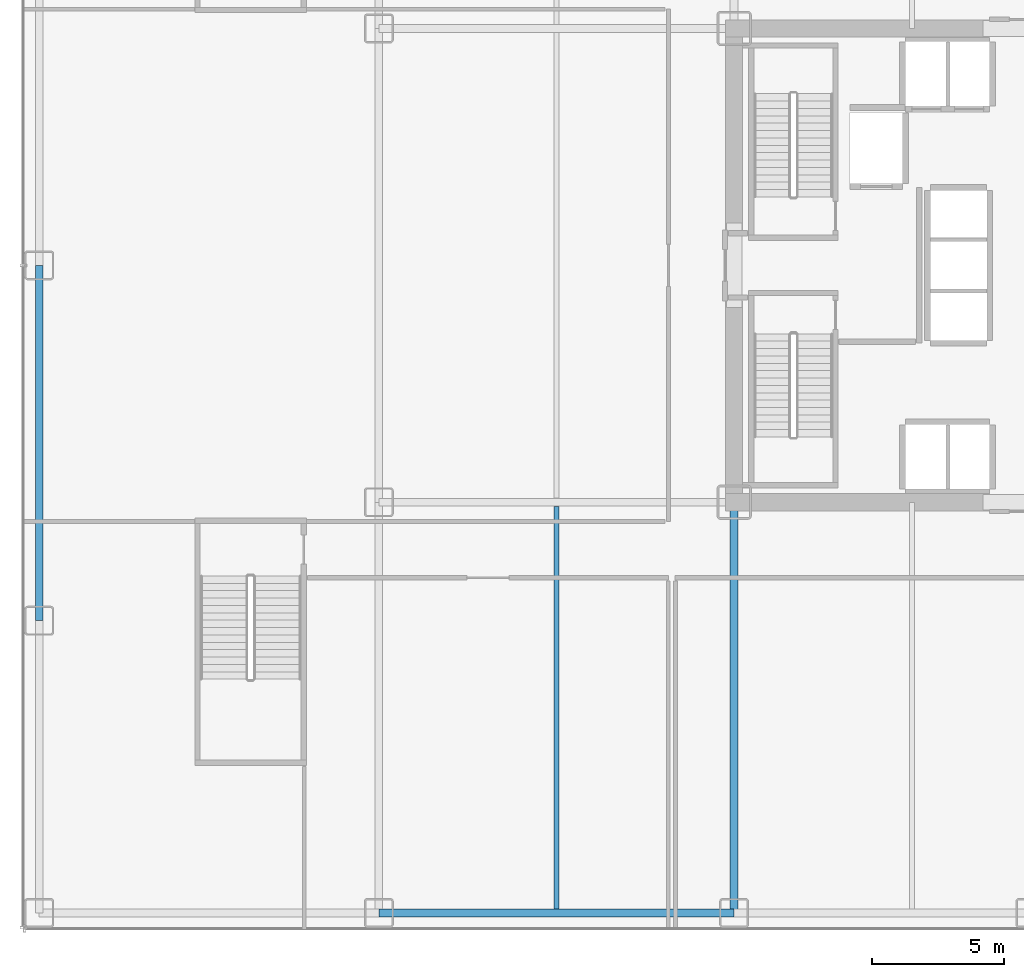
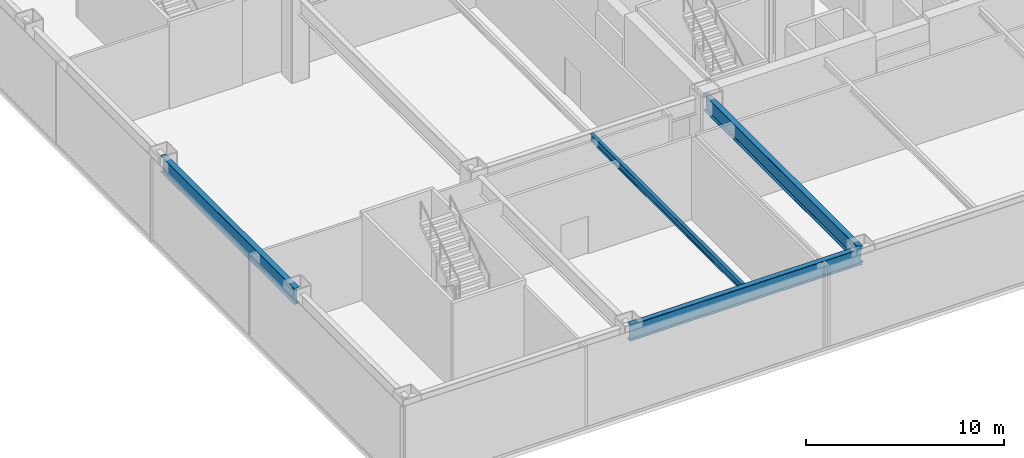
# One storey, part 3 of 24: 4 beams.
"""IFC4 building model written with IfcOpenShell, lengths in metres."""

from ifc_helpers import new_model, si_unit, direction, frame, origin, origin_2d, place, context, subcontext, project, spatial, i_section, extrude, source, transform, mapped, material, material_profile, profile_set, type_object, element, save


model = new_model("IFC4")

# Units and contexts
model_context = context("Model", 3, precision=1e-05, world=origin(), true_north=direction((0.0, 1.0)))
body_context = subcontext(model_context, "Body", "Model", "MODEL_VIEW")
ifc_project = project(units=[si_unit("LENGTHUNIT", "METRE"), si_unit("AREAUNIT", "SQUARE_METRE"), si_unit("VOLUMEUNIT", "CUBIC_METRE"), si_unit("PLANEANGLEUNIT", "RADIAN"), si_unit("MASSUNIT", "GRAM", prefix="KILO")], contexts=[model_context])

# Site, building, storey
site_placement = place(None, origin())
site = spatial("IfcSite", under=ifc_project, at=site_placement, CompositionType="ELEMENT")
building_placement = place(site_placement, origin())
building = spatial("IfcBuilding", under=site, at=building_placement, Name="Nefas-Gora Pilgrimage Tower", CompositionType="ELEMENT")
storey_placement = place(building_placement, frame((0.0, 0.0, 11.39990234375)))
storey = spatial("IfcBuildingStorey", under=building, at=storey_placement, Name="L02", CompositionType="ELEMENT", Elevation=11.39990234375)

# Beams
ifc_material_1 = material(Name="Steel S355", Category="steel")
ifc_material_profile_1 = material_profile(ifc_material_1, i_section(OverallWidth=0.18994140625, OverallDepth=0.449951171875, WebThickness=0.009521484375, FlangeThickness=0.0146484375, FilletRadius=0.02099609375, at=origin_2d()), Name="IPE 450")
ifc_profile_set_1 = profile_set([ifc_material_profile_1], Name="Steel S355")
beam_type_1 = type_object("IfcBeamType", Name="BM-JST-IPE450", PredefinedType="JOIST", material=ifc_profile_set_1)
shared_shape_1 = source(origin(), body_context, "Body", "SweptSolid", [
    extrude(i_section(OverallWidth=0.18994140625, OverallDepth=0.449951171875, WebThickness=0.009521484375, FlangeThickness=0.0146484375, FilletRadius=0.02099609375, at=origin_2d()), origin(), (0.0, 0.0, 1.0), 15.2880859375),
])
beam_1_placement = place(storey_placement, frame((-18.0, -24.444091796875, 4.875), z_axis=(0.0, 1.0, 0.0), x_axis=(-1.0, 0.0, 0.0)))
element("IfcBeam", 1, at=beam_1_placement, inside=storey, type_object=beam_type_1, Name="L02 J-01 beam", PredefinedType="JOIST", context=body_context, shape_type="MappedRepresentation", body=[
    mapped(shared_shape_1, transform((0.0, 0.0, 0.0), x_axis=(1.0, 0.0, 0.0), y_axis=(0.0, 1.0, 0.0), z_axis=(0.0, 0.0, 1.0), scale=1.0)),
])
ifc_material_2 = material(Name="Steel S460", Category="steel")
ifc_material_profile_2 = material_profile(ifc_material_2, i_section(OverallWidth=0.300048828125, OverallDepth=1.0, WebThickness=0.01904296875, FlangeThickness=0.035888671875, FilletRadius=0.030029296875, at=origin_2d()), Name="HEB 1000")
ifc_profile_set_2 = profile_set([ifc_material_profile_2], Name="Steel S460")
beam_type_2 = type_object("IfcBeamType", Name="BM-POD-HEB1000E", PredefinedType="BEAM", material=ifc_profile_set_2)
shared_shape_2 = source(origin(), body_context, "Body", "SweptSolid", [
    extrude(i_section(OverallWidth=0.300048828125, OverallDepth=1.0, WebThickness=0.01904296875, FlangeThickness=0.035888671875, FilletRadius=0.030029296875, at=origin_2d()), origin(), (0.0, 0.0, 1.0), 13.5),
])
for number, where, z_axis, x_axis, name in (
    (2, (-24.75, -24.60009765625, 4.60009765625), (1.0, 0.0, 0.0), (0.0, 1.0, 0.0), "L02 PG-01E beam"),
    (3, (-37.64990234375, -13.5, 4.60009765625), (0.0, 1.0, 0.0), (-1.0, 0.0, 0.0), "L02 PG-01E beam"),
):
    element("IfcBeam", number, at=place(storey_placement, frame(where, z_axis=z_axis, x_axis=x_axis)), inside=storey, type_object=beam_type_2, Name=name, PredefinedType="BEAM", context=body_context, shape_type="MappedRepresentation", body=[
        mapped(shared_shape_2, transform((0.0, 0.0, 0.0), x_axis=(1.0, 0.0, 0.0), y_axis=(0.0, 1.0, 0.0), z_axis=(0.0, 0.0, 1.0), scale=1.0)),
    ])
ifc_material_profile_3 = material_profile(ifc_material_2, i_section(OverallWidth=0.300048828125, OverallDepth=1.0, WebThickness=0.01904296875, FlangeThickness=0.035888671875, FilletRadius=0.030029296875, at=origin_2d()), Name="HEB 1000")
ifc_profile_set_3 = profile_set([ifc_material_profile_3], Name="Steel S460")
beam_type_3 = type_object("IfcBeamType", Name="BM-POD-HEB1000", PredefinedType="BEAM", material=ifc_profile_set_3)
shared_shape_3 = source(origin(), body_context, "Body", "SweptSolid", [
    extrude(i_section(OverallWidth=0.300048828125, OverallDepth=1.0, WebThickness=0.01904296875, FlangeThickness=0.035888671875, FilletRadius=0.030029296875, at=origin_2d()), origin(), (0.0, 0.0, 1.0), 15.60009765625),
])
beam_2_placement = place(storey_placement, frame((-11.25, -24.60009765625, 4.60009765625), z_axis=(0.0, 1.0, 0.0), x_axis=(-1.0, 0.0, 0.0)))
element("IfcBeam", 4, at=beam_2_placement, inside=storey, type_object=beam_type_3, Name="L02 PG-01 beam", PredefinedType="BEAM", context=body_context, shape_type="MappedRepresentation", body=[
    mapped(shared_shape_3, transform((0.0, 0.0, 0.0), x_axis=(1.0, 0.0, 0.0), y_axis=(0.0, 1.0, 0.0), z_axis=(0.0, 0.0, 1.0), scale=1.0)),
])

save(model, "model.ifc")
